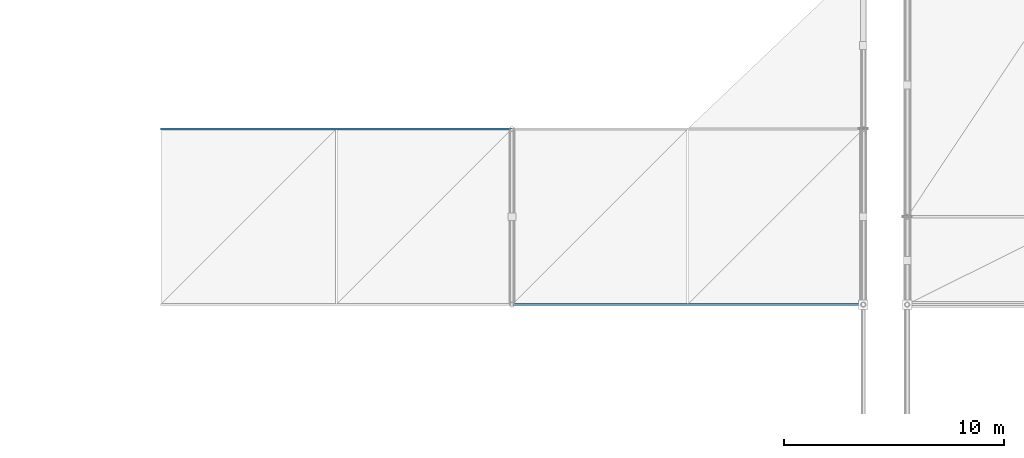
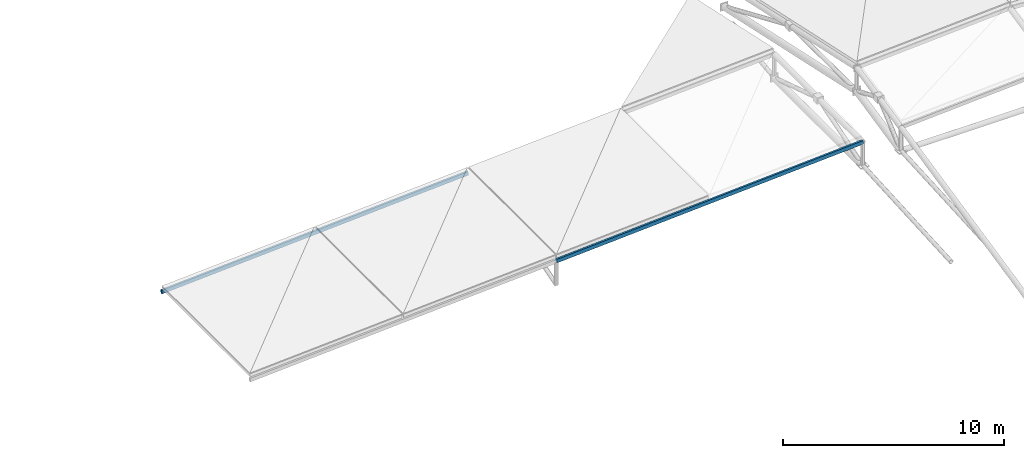
# One storey, part 7 of 27: 2 members.
"""IFC4 building model written with IfcOpenShell, lengths in metres."""

from ifc_helpers import new_model, si_unit, direction, frame, origin, origin_2d, place, context, subcontext, project, spatial, hollow_rectangle, extrude, material, material_profile, profile_set, type_object, element, save


model = new_model("IFC4")

# Units and contexts
model_context = context("Model", 3, precision=1e-05, world=origin(), true_north=direction((0.0, 1.0)))
body_context = subcontext(model_context, "Body", "Model", "MODEL_VIEW")
ifc_project = project(units=[si_unit("LENGTHUNIT", "METRE"), si_unit("AREAUNIT", "SQUARE_METRE"), si_unit("VOLUMEUNIT", "CUBIC_METRE"), si_unit("PLANEANGLEUNIT", "RADIAN"), si_unit("MASSUNIT", "GRAM", prefix="KILO")], contexts=[model_context])

# Site, building, storey
site_placement = place(None, origin())
site = spatial("IfcSite", under=ifc_project, at=site_placement, CompositionType="ELEMENT")
building_placement = place(site_placement, origin())
building = spatial("IfcBuilding", under=site, at=building_placement, Name="Drelvath Fold Interchange", CompositionType="ELEMENT")
storey_placement = place(building_placement, frame((0.0, 0.0, 19.800048828125)))
storey = spatial("IfcBuildingStorey", under=building, at=storey_placement, Name="L04", CompositionType="ELEMENT", Elevation=19.800048828125)

# Members
ifc_material = material(Name="Steel ASTM A500 Grade C", Category="steel")
ifc_material_profile = material_profile(ifc_material, hollow_rectangle(XDim=0.10205078125, YDim=0.202880859375, WallThickness=0.00732421875, at=origin_2d()), Name="HSS8X4X5/16")
ifc_profile_set = profile_set([ifc_material_profile], Name="Steel ASTM A500 Grade C")
member_type = type_object("IfcMemberType", Name="PR-HSS203", PredefinedType="PURLIN", material=ifc_profile_set)
member_1_placement = place(storey_placement, frame((68.0, 51.0, -0.318115234375), z_axis=(0.998196786761, 0.0, 0.06002645167), x_axis=(0.0, 1.0, 0.0)))
element("IfcMember", 1, at=member_1_placement, inside=storey, type_object=member_type, Name="L04 Space frame canopy purlin PR-HSS203", PredefinedType="PURLIN", context=body_context, shape_type="SweptSolid", body=[
    extrude(hollow_rectangle(XDim=0.10205078125, YDim=0.202880859375, WallThickness=0.00732421875, at=origin_2d()), origin(), (0.0, 0.0, 1.0), 16.02880859375),
])
member_2_placement = place(storey_placement, frame((84.0, 43.0, 0.64404296875), z_axis=(0.998194047838, 0.0, 0.060071980662), x_axis=(0.0, 1.0, 0.0)))
element("IfcMember", 2, at=member_2_placement, inside=storey, type_object=member_type, Name="L04 Space frame canopy purlin PR-HSS203", PredefinedType="PURLIN", context=body_context, shape_type="SweptSolid", body=[
    extrude(hollow_rectangle(XDim=0.10205078125, YDim=0.202880859375, WallThickness=0.00732421875, at=origin_2d()), origin(), (0.0, 0.0, 1.0), 16.029052734375),
])

save(model, "model.ifc")
